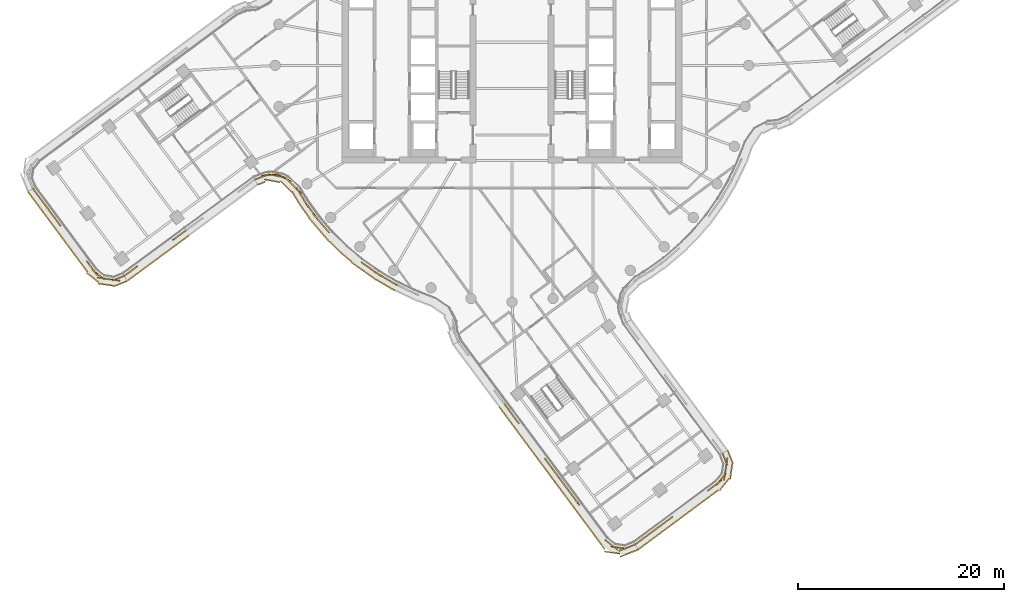
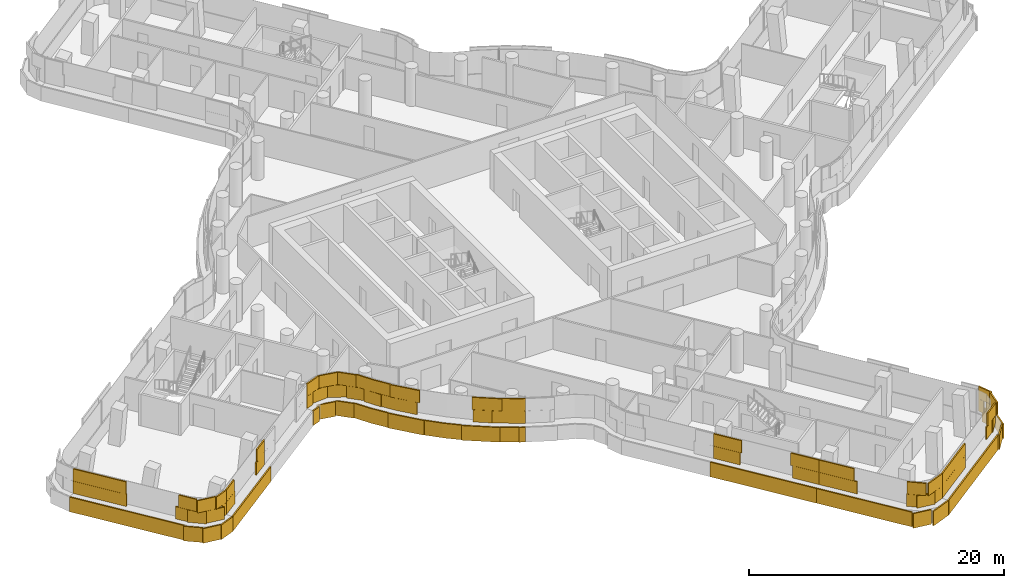
# One storey, part 26 of 32: 6 coverings.
"""IFC4 building model written with IfcOpenShell, lengths in metres."""

from ifc_helpers import new_model, si_unit, direction, frame, origin, origin_2d, place, context, subcontext, project, spatial, rectangle, extrude, material, layer, layer_set, type_object, element, save


model = new_model("IFC4")

# Units and contexts
model_context = context("Model", 3, precision=1e-05, world=origin(), true_north=direction((0.0, 1.0)))
body_context = subcontext(model_context, "Body", "Model", "MODEL_VIEW")
ifc_project = project(units=[si_unit("LENGTHUNIT", "METRE"), si_unit("AREAUNIT", "SQUARE_METRE"), si_unit("VOLUMEUNIT", "CUBIC_METRE"), si_unit("PLANEANGLEUNIT", "RADIAN"), si_unit("MASSUNIT", "GRAM", prefix="KILO")], contexts=[model_context])

# Site, building, storey
site_placement = place(None, origin())
site = spatial("IfcSite", under=ifc_project, at=site_placement, CompositionType="ELEMENT")
building_placement = place(site_placement, origin())
building = spatial("IfcBuilding", under=site, at=building_placement, Name="Tamarind Cross Interchange Tower", CompositionType="ELEMENT")
storey_placement = place(building_placement, frame((0.0, 0.0, 166.75)))
storey = spatial("IfcBuildingStorey", under=building, at=storey_placement, Name="L41", CompositionType="ELEMENT", Elevation=166.75)

# Coverings
ifc_material = material(Name="Terracotta", Category="masonry")
ifc_layer = layer(ifc_material, 0.1201171875)
ifc_layer_set = layer_set([ifc_layer], Name="Terracotta")
covering_type = type_object("IfcCoveringType", Name="Terracotta baguette screen unit", PredefinedType="MOLDING", material=ifc_layer_set)
covering_1_placement = place(storey_placement, origin())
element("IfcCovering", 1, at=covering_1_placement, inside=storey, type_object=covering_type, Name="SCR-L41-08-00", PredefinedType="MOLDING", context=body_context, shape_type="SweptSolid", body=[
    extrude(rectangle(XDim=0.760009765625, YDim=0.1201171875, at=origin_2d()), frame((-46.328125, -12.273193359375, 1.404052734375), z_axis=(0.0, 0.0, 1.0), x_axis=(0.595776404136, -0.803150344752, 0.0)), (0.0, 0.0, 1.0), 1.1669921875),
    extrude(rectangle(XDim=1.52001953125, YDim=0.1201171875, at=origin_2d()), frame((-45.65771484375, -13.1767578125, 1.404052734375), z_axis=(0.0, 0.0, 1.0), x_axis=(0.595776404136, -0.803150344752, 0.0)), (0.0, 0.0, 1.0), 1.1669921875),
    extrude(rectangle(XDim=1.52001953125, YDim=0.1201171875, at=origin_2d()), frame((-44.76416015625, -14.38134765625, 1.404052734375), z_axis=(0.0, 0.0, 1.0), x_axis=(0.595776404136, -0.803150344752, 0.0)), (0.0, 0.0, 1.0), 1.1669921875),
    extrude(rectangle(XDim=0.78466796875, YDim=0.1201171875, at=origin_2d()), frame((-44.08642578125, -15.294921875, 1.404052734375), z_axis=(0.0, 0.0, 1.0), x_axis=(0.595776404136, -0.803150344752, 0.0)), (0.0, 0.0, 1.0), 1.1669921875),
    extrude(rectangle(XDim=1.03515625, YDim=0.1201171875, at=origin_2d()), frame((-41.048095703125, -19.39111328125, 1.404052734375), z_axis=(0.0, 0.0, 1.0), x_axis=(0.595776404136, -0.803150344752, 0.0)), (0.0, 0.0, 1.0), 1.1669921875),
    extrude(rectangle(XDim=1.52001953125, YDim=0.1201171875, at=origin_2d()), frame((-40.20654296875, -20.318603515625, 1.404052734375), z_axis=(0.0, 0.0, 1.0), x_axis=(0.783346420751, -0.621585380376, 0.0)), (0.0, 0.0, 1.0), 1.1669921875),
    extrude(rectangle(XDim=1.52001953125, YDim=0.1201171875, at=origin_2d()), frame((-38.84521484375, -20.821044921875, 1.404052734375), z_axis=(0.0, 0.0, 1.0), x_axis=(0.989190590522, -0.146635519651, 0.0)), (0.0, 0.0, 1.0), 1.1669921875),
    extrude(rectangle(XDim=0.509521484375, YDim=0.1201171875, at=origin_2d()), frame((-37.90478515625, -20.54541015625, 1.404052734375), z_axis=(0.0, 0.0, 1.0), x_axis=(0.929981940402, 0.367605210146, 0.0)), (0.0, 0.0, 1.0), 1.1669921875),
    extrude(rectangle(XDim=1.510009765625, YDim=0.1201171875, at=origin_2d()), frame((-46.1044921875, -12.574462890625, 2.5791015625), z_axis=(0.0, 0.0, 1.0), x_axis=(0.595776404136, -0.803150344752, 0.0)), (0.0, 0.0, 1.0), 1.1669921875),
    extrude(rectangle(XDim=1.52001953125, YDim=0.1201171875, at=origin_2d()), frame((-45.2109375, -13.779052734375, 2.5791015625), z_axis=(0.0, 0.0, 1.0), x_axis=(0.595776404136, -0.803150344752, 0.0)), (0.0, 0.0, 1.0), 1.1669921875),
    extrude(rectangle(XDim=1.52001953125, YDim=0.1201171875, at=origin_2d()), frame((-44.3173828125, -14.98388671875, 2.5791015625), z_axis=(0.0, 0.0, 1.0), x_axis=(0.595776404136, -0.803150344752, 0.0)), (0.0, 0.0, 1.0), 1.1669921875),
    extrude(rectangle(XDim=1.52001953125, YDim=0.1201171875, at=origin_2d()), frame((-40.74267578125, -19.802734375, 2.5791015625), z_axis=(0.0, 0.0, 1.0), x_axis=(0.595776404136, -0.803150344752, 0.0)), (0.0, 0.0, 1.0), 1.1669921875),
    extrude(rectangle(XDim=1.52001953125, YDim=0.1201171875, at=origin_2d()), frame((-39.5869140625, -20.711181640625, 2.5791015625), z_axis=(0.0, 0.0, 1.0), x_axis=(0.989190590522, -0.146635519651, 0.0)), (0.0, 0.0, 1.0), 1.1669921875),
    extrude(rectangle(XDim=1.259521484375, YDim=0.1201171875, at=origin_2d()), frame((-38.25341796875, -20.68310546875, 2.5791015625), z_axis=(0.0, 0.0, 1.0), x_axis=(0.929981940402, 0.367605210146, 0.0)), (0.0, 0.0, 1.0), 1.1669921875),
    extrude(rectangle(XDim=0.760009765625, YDim=0.1201171875, at=origin_2d()), frame((-46.8310546875, -12.55859375, 0.00390625), z_axis=(0.0, 0.0, 1.0), x_axis=(0.595776404136, -0.803150344752, 0.0)), (0.0, 0.0, 1.0), 1.39208984375),
    extrude(rectangle(XDim=1.52001953125, YDim=0.1201171875, at=origin_2d()), frame((-46.163818359375, -13.4580078125, 0.00390625), z_axis=(0.0, 0.0, 1.0), x_axis=(0.595776404136, -0.803150344752, 0.0)), (0.0, 0.0, 1.0), 1.39208984375),
    extrude(rectangle(XDim=1.52001953125, YDim=0.1201171875, at=origin_2d()), frame((-45.270263671875, -14.662841796875, 0.00390625), z_axis=(0.0, 0.0, 1.0), x_axis=(0.595776404136, -0.803150344752, 0.0)), (0.0, 0.0, 1.0), 1.39208984375),
    extrude(rectangle(XDim=1.52001953125, YDim=0.1201171875, at=origin_2d()), frame((-44.37646484375, -15.867431640625, 0.00390625), z_axis=(0.0, 0.0, 1.0), x_axis=(0.595776404136, -0.803150344752, 0.0)), (0.0, 0.0, 1.0), 1.39208984375),
    extrude(rectangle(XDim=1.52001953125, YDim=0.1201171875, at=origin_2d()), frame((-43.48291015625, -17.072265625, 0.00390625), z_axis=(0.0, 0.0, 1.0), x_axis=(0.595776404136, -0.803150344752, 0.0)), (0.0, 0.0, 1.0), 1.39208984375),
    extrude(rectangle(XDim=1.52001953125, YDim=0.1201171875, at=origin_2d()), frame((-42.589111328125, -18.27685546875, 0.00390625), z_axis=(0.0, 0.0, 1.0), x_axis=(0.595776404136, -0.803150344752, 0.0)), (0.0, 0.0, 1.0), 1.39208984375),
    extrude(rectangle(XDim=1.52001953125, YDim=0.1201171875, at=origin_2d()), frame((-41.695556640625, -19.481689453125, 0.00390625), z_axis=(0.0, 0.0, 1.0), x_axis=(0.595776404136, -0.803150344752, 0.0)), (0.0, 0.0, 1.0), 1.39208984375),
    extrude(rectangle(XDim=1.52001953125, YDim=0.1201171875, at=origin_2d()), frame((-40.74072265625, -20.62744140625, 0.00390625), z_axis=(0.0, 0.0, 1.0), x_axis=(0.783346420751, -0.621585380376, 0.0)), (0.0, 0.0, 1.0), 1.39208984375),
    extrude(rectangle(XDim=1.52001953125, YDim=0.1201171875, at=origin_2d()), frame((-39.457763671875, -21.310546875, 0.00390625), z_axis=(0.0, 0.0, 1.0), x_axis=(0.989190590522, -0.146635519651, 0.0)), (0.0, 0.0, 1.0), 1.39208984375),
    extrude(rectangle(XDim=1.42626953125, YDim=0.1201171875, at=origin_2d()), frame((-38.05517578125, -21.221923828125, 0.00390625), z_axis=(0.0, 0.0, 1.0), x_axis=(0.929981940402, 0.367605210146, 0.0)), (0.0, 0.0, 1.0), 1.39208984375),
])
covering_2_placement = place(storey_placement, origin())
element("IfcCovering", 2, at=covering_2_placement, inside=storey, type_object=covering_type, Name="SCR-L41-09-00", PredefinedType="MOLDING", context=body_context, shape_type="SweptSolid", body=[
    extrude(rectangle(XDim=0.760009765625, YDim=0.1201171875, at=origin_2d()), frame((-37.370849609375, -20.23095703125, 1.404052734375), z_axis=(0.0, 0.0, 1.0), x_axis=(0.804598427384, 0.593819308082, 0.0)), (0.0, 0.0, 1.0), 1.1669921875),
    extrude(rectangle(XDim=0.890380859375, YDim=0.1201171875, at=origin_2d()), frame((-36.71484375, -19.746826171875, 1.404052734375), z_axis=(0.0, 0.0, 1.0), x_axis=(0.804598427384, 0.593819308082, 0.0)), (0.0, 0.0, 1.0), 1.1669921875),
    extrude(rectangle(XDim=0.9296875, YDim=0.1201171875, at=origin_2d()), frame((-32.611328125, -16.71826171875, 1.404052734375), z_axis=(0.0, 0.0, 1.0), x_axis=(0.804598427384, 0.593819308082, 0.0)), (0.0, 0.0, 1.0), 1.1669921875),
    extrude(rectangle(XDim=0.720703125, YDim=0.1201171875, at=origin_2d()), frame((-31.95556640625, -16.234130859375, 1.404052734375), z_axis=(0.0, 0.0, 1.0), x_axis=(0.804598427384, 0.593819308082, 0.0)), (0.0, 0.0, 1.0), 1.1669921875),
    extrude(rectangle(XDim=1.510009765625, YDim=0.1201171875, at=origin_2d()), frame((-37.069091796875, -20.008056640625, 2.5791015625), z_axis=(0.0, 0.0, 1.0), x_axis=(0.804598427384, 0.593819308082, 0.0)), (0.0, 0.0, 1.0), 1.1669921875),
    extrude(rectangle(XDim=1.470703125, YDim=0.1201171875, at=origin_2d()), frame((-32.25732421875, -16.45703125, 2.5791015625), z_axis=(0.0, 0.0, 1.0), x_axis=(0.804598427384, 0.593819308082, 0.0)), (0.0, 0.0, 1.0), 1.1669921875),
    extrude(rectangle(XDim=0.760009765625, YDim=0.1201171875, at=origin_2d()), frame((-37.086181640625, -20.734130859375, 0.00390625), z_axis=(0.0, 0.0, 1.0), x_axis=(0.804598427384, 0.593819308082, 0.0)), (0.0, 0.0, 1.0), 1.39208984375),
    extrude(rectangle(XDim=1.52001953125, YDim=0.1201171875, at=origin_2d()), frame((-36.18505859375, -20.069091796875, 0.00390625), z_axis=(0.0, 0.0, 1.0), x_axis=(0.804598427384, 0.593819308082, 0.0)), (0.0, 0.0, 1.0), 1.39208984375),
    extrude(rectangle(XDim=1.52001953125, YDim=0.1201171875, at=origin_2d()), frame((-34.97802734375, -19.178466796875, 0.00390625), z_axis=(0.0, 0.0, 1.0), x_axis=(0.804598427384, 0.593819308082, 0.0)), (0.0, 0.0, 1.0), 1.39208984375),
    extrude(rectangle(XDim=1.52001953125, YDim=0.1201171875, at=origin_2d()), frame((-33.771240234375, -18.28759765625, 0.00390625), z_axis=(0.0, 0.0, 1.0), x_axis=(0.804598427384, 0.593819308082, 0.0)), (0.0, 0.0, 1.0), 1.39208984375),
    extrude(rectangle(XDim=1.52001953125, YDim=0.1201171875, at=origin_2d()), frame((-32.564208984375, -17.39697265625, 0.00390625), z_axis=(0.0, 0.0, 1.0), x_axis=(0.804598427384, 0.593819308082, 0.0)), (0.0, 0.0, 1.0), 1.39208984375),
    extrude(rectangle(XDim=0.718505859375, YDim=0.1201171875, at=origin_2d()), frame((-31.679931640625, -16.744140625, 0.00390625), z_axis=(0.0, 0.0, 1.0), x_axis=(0.804598427384, 0.593819308082, 0.0)), (0.0, 0.0, 1.0), 1.39208984375),
])
covering_3_placement = place(storey_placement, origin())
element("IfcCovering", 3, at=covering_3_placement, inside=storey, type_object=covering_type, Name="SCR-L41-10-00", PredefinedType="MOLDING", context=body_context, shape_type="SweptSolid", body=[
    extrude(rectangle(XDim=0.760009765625, YDim=0.1201171875, at=origin_2d()), frame((-24.64013671875, -10.96240234375, 1.404052734375), z_axis=(0.0, 0.0, 1.0), x_axis=(0.936029366987, 0.351921900623, 0.0)), (0.0, 0.0, 1.0), 1.1669921875),
    extrude(rectangle(XDim=1.52001953125, YDim=0.1201171875, at=origin_2d()), frame((-23.5693359375, -10.646484375, 1.404052734375), z_axis=(0.0, 0.0, 1.0), x_axis=(0.996720069573, 0.080926527852, 0.0)), (0.0, 0.0, 1.0), 1.1669921875),
    extrude(rectangle(XDim=1.52001953125, YDim=0.1201171875, at=origin_2d()), frame((-22.11474609375, -10.93701171875, 1.404052734375), z_axis=(0.0, 0.0, 1.0), x_axis=(0.888742469875, -0.458406830491, 0.0)), (0.0, 0.0, 1.0), 1.1669921875),
    extrude(rectangle(XDim=1.52001953125, YDim=0.1201171875, at=origin_2d()), frame((-20.99609375, -11.919677734375, 1.404052734375), z_axis=(0.0, 0.0, 1.0), x_axis=(0.710687311487, -0.703508027879, 0.0)), (0.0, 0.0, 1.0), 1.1669921875),
    extrude(rectangle(XDim=1.52001953125, YDim=0.1201171875, at=origin_2d()), frame((-20.1669921875, -13.16162109375, 1.404052734375), z_axis=(0.0, 0.0, 1.0), x_axis=(0.517314099566, -0.855795607835, 0.0)), (0.0, 0.0, 1.0), 1.1669921875),
    extrude(rectangle(XDim=1.52001953125, YDim=0.1201171875, at=origin_2d()), frame((-19.2978515625, -14.3837890625, 1.404052734375), z_axis=(0.0, 0.0, 1.0), x_axis=(0.584573890505, -0.811340475102, 0.0)), (0.0, 0.0, 1.0), 1.1669921875),
    extrude(rectangle(XDim=1.52001953125, YDim=0.1201171875, at=origin_2d()), frame((-18.36279296875, -15.55517578125, 1.404052734375), z_axis=(0.0, 0.0, 1.0), x_axis=(0.64957723968, -0.760295606781, 0.0)), (0.0, 0.0, 1.0), 1.1669921875),
    extrude(rectangle(XDim=1.52001953125, YDim=0.1201171875, at=origin_2d()), frame((-13.959716796875, -19.60302734375, 1.404052734375), z_axis=(0.0, 0.0, 1.0), x_axis=(0.816341886298, -0.577568978284, 0.0)), (0.0, 0.0, 1.0), 1.1669921875),
    extrude(rectangle(XDim=1.52001953125, YDim=0.1201171875, at=origin_2d()), frame((-12.7158203125, -20.439453125, 1.404052734375), z_axis=(0.0, 0.0, 1.0), x_axis=(0.861248933065, -0.508183308752, 0.0)), (0.0, 0.0, 1.0), 1.1669921875),
    extrude(rectangle(XDim=1.086669921875, YDim=0.1201171875, at=origin_2d()), frame((-11.606201171875, -21.09423828125, 1.404052734375), z_axis=(0.0, 0.0, 1.0), x_axis=(0.861248933065, -0.508183308752, 0.0)), (0.0, 0.0, 1.0), 1.1669921875),
    extrude(rectangle(XDim=1.510009765625, YDim=0.1201171875, at=origin_2d()), frame((-24.2890625, -10.830322265625, 2.5791015625), z_axis=(0.0, 0.0, 1.0), x_axis=(0.936029366987, 0.351921900623, 0.0)), (0.0, 0.0, 1.0), 1.1669921875),
    extrude(rectangle(XDim=1.52001953125, YDim=0.1201171875, at=origin_2d()), frame((-22.830322265625, -10.73291015625, 2.5791015625), z_axis=(0.0, 0.0, 1.0), x_axis=(0.980541873033, -0.196310048722, 0.0)), (0.0, 0.0, 1.0), 1.1669921875),
    extrude(rectangle(XDim=1.52001953125, YDim=0.1201171875, at=origin_2d()), frame((-21.529052734375, -11.39208984375, 2.5791015625), z_axis=(0.0, 0.0, 1.0), x_axis=(0.710687311487, -0.703508027879, 0.0)), (0.0, 0.0, 1.0), 1.1669921875),
    extrude(rectangle(XDim=1.52001953125, YDim=0.1201171875, at=origin_2d()), frame((-20.554931640625, -12.519775390625, 2.5791015625), z_axis=(0.0, 0.0, 1.0), x_axis=(0.517314099566, -0.855795607835, 0.0)), (0.0, 0.0, 1.0), 1.1669921875),
    extrude(rectangle(XDim=1.52001953125, YDim=0.1201171875, at=origin_2d()), frame((-19.736328125, -13.775146484375, 2.5791015625), z_axis=(0.0, 0.0, 1.0), x_axis=(0.584573890505, -0.811340475102, 0.0)), (0.0, 0.0, 1.0), 1.1669921875),
    extrude(rectangle(XDim=1.52001953125, YDim=0.1201171875, at=origin_2d()), frame((-18.85009765625, -14.98486328125, 2.5791015625), z_axis=(0.0, 0.0, 1.0), x_axis=(0.64957723968, -0.760295606781, 0.0)), (0.0, 0.0, 1.0), 1.1669921875),
    extrude(rectangle(XDim=0.960693359375, YDim=0.1201171875, at=origin_2d()), frame((-18.05419921875, -15.91650390625, 2.5791015625), z_axis=(0.0, 0.0, 1.0), x_axis=(0.64957723968, -0.760295606781, 0.0)), (0.0, 0.0, 1.0), 1.1669921875),
    extrude(rectangle(XDim=0.859375, YDim=0.1201171875, at=origin_2d()), frame((-14.306396484375, -19.357666015625, 2.5791015625), z_axis=(0.0, 0.0, 1.0), x_axis=(0.816341886298, -0.577568978284, 0.0)), (0.0, 0.0, 1.0), 1.1669921875),
    extrude(rectangle(XDim=1.52001953125, YDim=0.1201171875, at=origin_2d()), frame((-13.347412109375, -20.0361328125, 2.5791015625), z_axis=(0.0, 0.0, 1.0), x_axis=(0.816341886298, -0.577568978284, 0.0)), (0.0, 0.0, 1.0), 1.1669921875),
    extrude(rectangle(XDim=1.52001953125, YDim=0.1201171875, at=origin_2d()), frame((-12.06982421875, -20.820556640625, 2.5791015625), z_axis=(0.0, 0.0, 1.0), x_axis=(0.861248933065, -0.508183308752, 0.0)), (0.0, 0.0, 1.0), 1.1669921875),
    extrude(rectangle(XDim=0.336669921875, YDim=0.1201171875, at=origin_2d()), frame((-11.279296875, -21.277099609375, 2.5791015625), z_axis=(0.0, 0.0, 1.0), x_axis=(0.900272776334, -0.435326231914, 0.0)), (0.0, 0.0, 1.0), 1.1669921875),
    extrude(rectangle(XDim=0.760009765625, YDim=0.1201171875, at=origin_2d()), frame((-24.35888671875, -11.4697265625, 0.00390625), z_axis=(0.0, 0.0, 1.0), x_axis=(0.936029366987, 0.351921900623, 0.0)), (0.0, 0.0, 1.0), 1.39208984375),
    extrude(rectangle(XDim=1.52001953125, YDim=0.1201171875, at=origin_2d()), frame((-23.284423828125, -11.227294921875, 0.00390625), z_axis=(0.0, 0.0, 1.0), x_axis=(0.980541873033, -0.196310048722, 0.0)), (0.0, 0.0, 1.0), 1.39208984375),
    extrude(rectangle(XDim=1.52001953125, YDim=0.1201171875, at=origin_2d()), frame((-21.941162109375, -11.7919921875, 0.00390625), z_axis=(0.0, 0.0, 1.0), x_axis=(0.710687311487, -0.703508027879, 0.0)), (0.0, 0.0, 1.0), 1.39208984375),
    extrude(rectangle(XDim=1.52001953125, YDim=0.1201171875, at=origin_2d()), frame((-20.978271484375, -12.9287109375, 0.00390625), z_axis=(0.0, 0.0, 1.0), x_axis=(0.517314099566, -0.855795607835, 0.0)), (0.0, 0.0, 1.0), 1.39208984375),
    extrude(rectangle(XDim=1.52001953125, YDim=0.1201171875, at=origin_2d()), frame((-20.152587890625, -14.179443359375, 0.00390625), z_axis=(0.0, 0.0, 1.0), x_axis=(0.584573890505, -0.811340475102, 0.0)), (0.0, 0.0, 1.0), 1.39208984375),
    extrude(rectangle(XDim=1.52001953125, YDim=0.1201171875, at=origin_2d()), frame((-19.262451171875, -15.385986328125, 0.00390625), z_axis=(0.0, 0.0, 1.0), x_axis=(0.64957723968, -0.760295606781, 0.0)), (0.0, 0.0, 1.0), 1.39208984375),
    extrude(rectangle(XDim=1.52001953125, YDim=0.1201171875, at=origin_2d()), frame((-18.2880859375, -16.5263671875, 0.00390625), z_axis=(0.0, 0.0, 1.0), x_axis=(0.64957723968, -0.760295606781, 0.0)), (0.0, 0.0, 1.0), 1.39208984375),
    extrude(rectangle(XDim=1.52001953125, YDim=0.1201171875, at=origin_2d()), frame((-17.242919921875, -17.601318359375, 0.00390625), z_axis=(0.0, 0.0, 1.0), x_axis=(0.710143317658, -0.704057148523, 0.0)), (0.0, 0.0, 1.0), 1.39208984375),
    extrude(rectangle(XDim=1.52001953125, YDim=0.1201171875, at=origin_2d()), frame((-16.142822265625, -18.618896484375, 0.00390625), z_axis=(0.0, 0.0, 1.0), x_axis=(0.765858396687, -0.643009266048, 0.0)), (0.0, 0.0, 1.0), 1.39208984375),
    extrude(rectangle(XDim=1.52001953125, YDim=0.1201171875, at=origin_2d()), frame((-14.989501953125, -19.57763671875, 0.00390625), z_axis=(0.0, 0.0, 1.0), x_axis=(0.816341886298, -0.577568978284, 0.0)), (0.0, 0.0, 1.0), 1.39208984375),
    extrude(rectangle(XDim=1.52001953125, YDim=0.1201171875, at=origin_2d()), frame((-13.764892578125, -20.444091796875, 0.00390625), z_axis=(0.0, 0.0, 1.0), x_axis=(0.816341886298, -0.577568978284, 0.0)), (0.0, 0.0, 1.0), 1.39208984375),
    extrude(rectangle(XDim=1.52001953125, YDim=0.1201171875, at=origin_2d()), frame((-12.4931640625, -21.2373046875, 0.00390625), z_axis=(0.0, 0.0, 1.0), x_axis=(0.861248933065, -0.508183308752, 0.0)), (0.0, 0.0, 1.0), 1.39208984375),
    extrude(rectangle(XDim=0.519287109375, YDim=0.1201171875, at=origin_2d()), frame((-11.631591796875, -21.744384765625, 0.00390625), z_axis=(0.0, 0.0, 1.0), x_axis=(0.900272776334, -0.435326231914, 0.0)), (0.0, 0.0, 1.0), 1.39208984375),
])
covering_4_placement = place(storey_placement, origin())
element("IfcCovering", 4, at=covering_4_placement, inside=storey, type_object=covering_type, Name="SCR-L41-11-01", PredefinedType="MOLDING", context=body_context, shape_type="SweptSolid", body=[
    extrude(rectangle(XDim=0.758544921875, YDim=0.1201171875, at=origin_2d()), frame((-0.529296875, -33.18701171875, 1.404052734375), z_axis=(0.0, 0.0, 1.0), x_axis=(0.595776404136, -0.803150344752, 0.0)), (0.0, 0.0, 1.0), 1.1669921875),
    extrude(rectangle(XDim=1.52001953125, YDim=0.1201171875, at=origin_2d()), frame((0.140625, -34.08984375, 1.404052734375), z_axis=(0.0, 0.0, 1.0), x_axis=(0.595776404136, -0.803150344752, 0.0)), (0.0, 0.0, 1.0), 1.1669921875),
    extrude(rectangle(XDim=1.52001953125, YDim=0.1201171875, at=origin_2d()), frame((3.71533203125, -38.908935546875, 1.404052734375), z_axis=(0.0, 0.0, 1.0), x_axis=(0.595776404136, -0.803150344752, 0.0)), (0.0, 0.0, 1.0), 1.1669921875),
    extrude(rectangle(XDim=0.7705078125, YDim=0.1201171875, at=origin_2d()), frame((4.388671875, -39.816650390625, 1.404052734375), z_axis=(0.0, 0.0, 1.0), x_axis=(0.595776404136, -0.803150344752, 0.0)), (0.0, 0.0, 1.0), 1.1669921875),
    extrude(rectangle(XDim=1.508544921875, YDim=0.1201171875, at=origin_2d()), frame((-0.305908203125, -33.488037109375, 2.5791015625), z_axis=(0.0, 0.0, 1.0), x_axis=(0.595776404136, -0.803150344752, 0.0)), (0.0, 0.0, 1.0), 1.1669921875),
    extrude(rectangle(XDim=0.916015625, YDim=0.1201171875, at=origin_2d()), frame((0.410400390625, -34.453857421875, 2.5791015625), z_axis=(0.0, 0.0, 1.0), x_axis=(0.595776404136, -0.803150344752, 0.0)), (0.0, 0.0, 1.0), 1.1669921875),
    extrude(rectangle(XDim=0.904052734375, YDim=0.1201171875, at=origin_2d()), frame((3.448974609375, -38.5498046875, 2.5791015625), z_axis=(0.0, 0.0, 1.0), x_axis=(0.595776404136, -0.803150344752, 0.0)), (0.0, 0.0, 1.0), 1.1669921875),
    extrude(rectangle(XDim=1.52001953125, YDim=0.1201171875, at=origin_2d()), frame((4.162109375, -39.51123046875, 2.5791015625), z_axis=(0.0, 0.0, 1.0), x_axis=(0.595776404136, -0.803150344752, 0.0)), (0.0, 0.0, 1.0), 1.1669921875),
    extrude(rectangle(XDim=0.710205078125, YDim=0.1201171875, at=origin_2d()), frame((-1.02001953125, -33.489013671875, 0.00390625), z_axis=(0.0, 0.0, 1.0), x_axis=(0.595776404136, -0.803150344752, 0.0)), (0.0, 0.0, 1.0), 1.39208984375),
    extrude(rectangle(XDim=1.52001953125, YDim=0.1201171875, at=origin_2d()), frame((-0.367431640625, -34.368408203125, 0.00390625), z_axis=(0.0, 0.0, 1.0), x_axis=(0.595776404136, -0.803150344752, 0.0)), (0.0, 0.0, 1.0), 1.39208984375),
    extrude(rectangle(XDim=1.52001953125, YDim=0.1201171875, at=origin_2d()), frame((0.526123046875, -35.5732421875, 0.00390625), z_axis=(0.0, 0.0, 1.0), x_axis=(0.595776404136, -0.803150344752, 0.0)), (0.0, 0.0, 1.0), 1.39208984375),
    extrude(rectangle(XDim=1.52001953125, YDim=0.1201171875, at=origin_2d()), frame((1.419921875, -36.77783203125, 0.00390625), z_axis=(0.0, 0.0, 1.0), x_axis=(0.595776404136, -0.803150344752, 0.0)), (0.0, 0.0, 1.0), 1.39208984375),
    extrude(rectangle(XDim=1.52001953125, YDim=0.1201171875, at=origin_2d()), frame((2.3134765625, -37.982666015625, 0.00390625), z_axis=(0.0, 0.0, 1.0), x_axis=(0.595776404136, -0.803150344752, 0.0)), (0.0, 0.0, 1.0), 1.39208984375),
    extrude(rectangle(XDim=1.52001953125, YDim=0.1201171875, at=origin_2d()), frame((3.207275390625, -39.187255859375, 0.00390625), z_axis=(0.0, 0.0, 1.0), x_axis=(0.595776404136, -0.803150344752, 0.0)), (0.0, 0.0, 1.0), 1.39208984375),
    extrude(rectangle(XDim=0.876953125, YDim=0.1201171875, at=origin_2d()), frame((3.9091796875, -40.1337890625, 0.00390625), z_axis=(0.0, 0.0, 1.0), x_axis=(0.595776404136, -0.803150344752, 0.0)), (0.0, 0.0, 1.0), 1.39208984375),
])
covering_5_placement = place(storey_placement, origin())
element("IfcCovering", 5, at=covering_5_placement, inside=storey, type_object=covering_type, Name="SCR-L41-11-02", PredefinedType="MOLDING", context=body_context, shape_type="SweptSolid", body=[
    extrude(rectangle(XDim=0.74951171875, YDim=0.1201171875, at=origin_2d()), frame((4.83544921875, -40.4189453125, 1.404052734375), z_axis=(0.0, 0.0, 1.0), x_axis=(0.595776404136, -0.803150344752, 0.0)), (0.0, 0.0, 1.0), 1.1669921875),
    extrude(rectangle(XDim=1.52001953125, YDim=0.1201171875, at=origin_2d()), frame((5.502685546875, -41.318359375, 1.404052734375), z_axis=(0.0, 0.0, 1.0), x_axis=(0.595776404136, -0.803150344752, 0.0)), (0.0, 0.0, 1.0), 1.1669921875),
    extrude(rectangle(XDim=1.017822265625, YDim=0.1201171875, at=origin_2d()), frame((6.24951171875, -42.325439453125, 1.404052734375), z_axis=(0.0, 0.0, 1.0), x_axis=(0.595776404136, -0.803150344752, 0.0)), (0.0, 0.0, 1.0), 1.1669921875),
    extrude(rectangle(XDim=0.80224609375, YDim=0.1201171875, at=origin_2d()), frame((9.3583984375, -46.353515625, 1.404052734375), z_axis=(0.0, 0.0, 1.0), x_axis=(0.783346420751, -0.621585380376, 0.0)), (0.0, 0.0, 1.0), 1.1669921875),
    extrude(rectangle(XDim=1.52001953125, YDim=0.1201171875, at=origin_2d()), frame((10.3486328125, -46.852294921875, 1.404052734375), z_axis=(0.0, 0.0, 1.0), x_axis=(0.989190590522, -0.146635519651, 0.0)), (0.0, 0.0, 1.0), 1.1669921875),
    extrude(rectangle(XDim=0.965087890625, YDim=0.1201171875, at=origin_2d()), frame((11.52783203125, -46.72705078125, 1.404052734375), z_axis=(0.0, 0.0, 1.0), x_axis=(0.929981940402, 0.367605210146, 0.0)), (0.0, 0.0, 1.0), 1.1669921875),
    extrude(rectangle(XDim=1.49951171875, YDim=0.1201171875, at=origin_2d()), frame((5.058837890625, -40.72021484375, 2.5791015625), z_axis=(0.0, 0.0, 1.0), x_axis=(0.595776404136, -0.803150344752, 0.0)), (0.0, 0.0, 1.0), 1.1669921875),
    extrude(rectangle(XDim=1.52001953125, YDim=0.1201171875, at=origin_2d()), frame((5.949462890625, -41.920654296875, 2.5791015625), z_axis=(0.0, 0.0, 1.0), x_axis=(0.595776404136, -0.803150344752, 0.0)), (0.0, 0.0, 1.0), 1.1669921875),
    extrude(rectangle(XDim=1.52001953125, YDim=0.1201171875, at=origin_2d()), frame((9.668701171875, -46.599609375, 2.5791015625), z_axis=(0.0, 0.0, 1.0), x_axis=(0.783346420751, -0.621585380376, 0.0)), (0.0, 0.0, 1.0), 1.1669921875),
    extrude(rectangle(XDim=1.52001953125, YDim=0.1201171875, at=origin_2d()), frame((11.083740234375, -46.902587890625, 2.5791015625), z_axis=(0.0, 0.0, 1.0), x_axis=(0.929981940402, 0.367605210146, 0.0)), (0.0, 0.0, 1.0), 1.1669921875),
    extrude(rectangle(XDim=0.215087890625, YDim=0.1201171875, at=origin_2d()), frame((11.876708984375, -46.589111328125, 2.5791015625), z_axis=(0.0, 0.0, 1.0), x_axis=(0.929981940402, 0.367605210146, 0.0)), (0.0, 0.0, 1.0), 1.1669921875),
    extrude(rectangle(XDim=0.64306640625, YDim=0.1201171875, at=origin_2d()), frame((4.362060546875, -40.744140625, 0.00390625), z_axis=(0.0, 0.0, 1.0), x_axis=(0.595776404136, -0.803150344752, 0.0)), (0.0, 0.0, 1.0), 1.39208984375),
    extrude(rectangle(XDim=1.52001953125, YDim=0.1201171875, at=origin_2d()), frame((4.994384765625, -41.596923828125, 0.00390625), z_axis=(0.0, 0.0, 1.0), x_axis=(0.595776404136, -0.803150344752, 0.0)), (0.0, 0.0, 1.0), 1.39208984375),
    extrude(rectangle(XDim=1.52001953125, YDim=0.1201171875, at=origin_2d()), frame((5.88818359375, -42.801513671875, 0.00390625), z_axis=(0.0, 0.0, 1.0), x_axis=(0.595776404136, -0.803150344752, 0.0)), (0.0, 0.0, 1.0), 1.39208984375),
    extrude(rectangle(XDim=1.52001953125, YDim=0.1201171875, at=origin_2d()), frame((6.78173828125, -44.00634765625, 0.00390625), z_axis=(0.0, 0.0, 1.0), x_axis=(0.595776404136, -0.803150344752, 0.0)), (0.0, 0.0, 1.0), 1.39208984375),
    extrude(rectangle(XDim=1.52001953125, YDim=0.1201171875, at=origin_2d()), frame((7.675537109375, -45.2109375, 0.00390625), z_axis=(0.0, 0.0, 1.0), x_axis=(0.595776404136, -0.803150344752, 0.0)), (0.0, 0.0, 1.0), 1.39208984375),
    extrude(rectangle(XDim=1.52001953125, YDim=0.1201171875, at=origin_2d()), frame((8.569091796875, -46.415771484375, 0.00390625), z_axis=(0.0, 0.0, 1.0), x_axis=(0.595776404136, -0.803150344752, 0.0)), (0.0, 0.0, 1.0), 1.39208984375),
    extrude(rectangle(XDim=1.52001953125, YDim=0.1201171875, at=origin_2d()), frame((9.732666015625, -47.34130859375, 0.00390625), z_axis=(0.0, 0.0, 1.0), x_axis=(0.989190590522, -0.146635519651, 0.0)), (0.0, 0.0, 1.0), 1.39208984375),
    extrude(rectangle(XDim=1.52001953125, YDim=0.1201171875, at=origin_2d()), frame((11.2060546875, -47.471435546875, 0.00390625), z_axis=(0.0, 0.0, 1.0), x_axis=(0.929981940402, 0.367605210146, 0.0)), (0.0, 0.0, 1.0), 1.39208984375),
    extrude(rectangle(XDim=0.385986328125, YDim=0.1201171875, at=origin_2d()), frame((12.07373046875, -47.12841796875, 0.00390625), z_axis=(0.0, 0.0, 1.0), x_axis=(0.929981940402, 0.367605210146, 0.0)), (0.0, 0.0, 1.0), 1.39208984375),
])
covering_6_placement = place(storey_placement, origin())
element("IfcCovering", 6, at=covering_6_placement, inside=storey, type_object=covering_type, Name="SCR-L41-12-00", PredefinedType="MOLDING", context=body_context, shape_type="SweptSolid", body=[
    extrude(rectangle(XDim=0.760009765625, YDim=0.1201171875, at=origin_2d()), frame((12.273193359375, -46.328125, 1.404052734375), z_axis=(0.0, 0.0, 1.0), x_axis=(0.803150344752, 0.595776404136, 0.0)), (0.0, 0.0, 1.0), 1.1669921875),
    extrude(rectangle(XDim=1.52001953125, YDim=0.1201171875, at=origin_2d()), frame((13.1767578125, -45.65771484375, 1.404052734375), z_axis=(0.0, 0.0, 1.0), x_axis=(0.803150344752, 0.595776404136, 0.0)), (0.0, 0.0, 1.0), 1.1669921875),
    extrude(rectangle(XDim=1.52001953125, YDim=0.1201171875, at=origin_2d()), frame((14.38134765625, -44.76416015625, 1.404052734375), z_axis=(0.0, 0.0, 1.0), x_axis=(0.803150344752, 0.595776404136, 0.0)), (0.0, 0.0, 1.0), 1.1669921875),
    extrude(rectangle(XDim=0.78466796875, YDim=0.1201171875, at=origin_2d()), frame((15.294921875, -44.08642578125, 1.404052734375), z_axis=(0.0, 0.0, 1.0), x_axis=(0.803150344752, 0.595776404136, 0.0)), (0.0, 0.0, 1.0), 1.1669921875),
    extrude(rectangle(XDim=1.03515625, YDim=0.1201171875, at=origin_2d()), frame((19.39111328125, -41.048095703125, 1.404052734375), z_axis=(0.0, 0.0, 1.0), x_axis=(0.803150344752, 0.595776404136, 0.0)), (0.0, 0.0, 1.0), 1.1669921875),
    extrude(rectangle(XDim=1.52001953125, YDim=0.1201171875, at=origin_2d()), frame((20.318603515625, -40.20654296875, 1.404052734375), z_axis=(0.0, 0.0, 1.0), x_axis=(0.621585380376, 0.783346420751, 0.0)), (0.0, 0.0, 1.0), 1.1669921875),
    extrude(rectangle(XDim=1.52001953125, YDim=0.1201171875, at=origin_2d()), frame((20.821044921875, -38.84521484375, 1.404052734375), z_axis=(0.0, 0.0, 1.0), x_axis=(0.146635519651, 0.989190590522, 0.0)), (0.0, 0.0, 1.0), 1.1669921875),
    extrude(rectangle(XDim=0.509521484375, YDim=0.1201171875, at=origin_2d()), frame((20.54541015625, -37.90478515625, 1.404052734375), z_axis=(0.0, 0.0, 1.0), x_axis=(-0.367605210146, 0.929981940402, 0.0)), (0.0, 0.0, 1.0), 1.1669921875),
    extrude(rectangle(XDim=1.510009765625, YDim=0.1201171875, at=origin_2d()), frame((12.574462890625, -46.1044921875, 2.5791015625), z_axis=(0.0, 0.0, 1.0), x_axis=(0.803150344752, 0.595776404136, 0.0)), (0.0, 0.0, 1.0), 1.1669921875),
    extrude(rectangle(XDim=1.52001953125, YDim=0.1201171875, at=origin_2d()), frame((13.779052734375, -45.2109375, 2.5791015625), z_axis=(0.0, 0.0, 1.0), x_axis=(0.803150344752, 0.595776404136, 0.0)), (0.0, 0.0, 1.0), 1.1669921875),
    extrude(rectangle(XDim=1.52001953125, YDim=0.1201171875, at=origin_2d()), frame((14.98388671875, -44.3173828125, 2.5791015625), z_axis=(0.0, 0.0, 1.0), x_axis=(0.803150344752, 0.595776404136, 0.0)), (0.0, 0.0, 1.0), 1.1669921875),
    extrude(rectangle(XDim=1.52001953125, YDim=0.1201171875, at=origin_2d()), frame((19.802734375, -40.74267578125, 2.5791015625), z_axis=(0.0, 0.0, 1.0), x_axis=(0.803150344752, 0.595776404136, 0.0)), (0.0, 0.0, 1.0), 1.1669921875),
    extrude(rectangle(XDim=1.52001953125, YDim=0.1201171875, at=origin_2d()), frame((20.711181640625, -39.5869140625, 2.5791015625), z_axis=(0.0, 0.0, 1.0), x_axis=(0.146635519651, 0.989190590522, 0.0)), (0.0, 0.0, 1.0), 1.1669921875),
    extrude(rectangle(XDim=1.259521484375, YDim=0.1201171875, at=origin_2d()), frame((20.68310546875, -38.25341796875, 2.5791015625), z_axis=(0.0, 0.0, 1.0), x_axis=(-0.367605210146, 0.929981940402, 0.0)), (0.0, 0.0, 1.0), 1.1669921875),
    extrude(rectangle(XDim=0.760009765625, YDim=0.1201171875, at=origin_2d()), frame((12.55859375, -46.8310546875, 0.00390625), z_axis=(0.0, 0.0, 1.0), x_axis=(0.803150344752, 0.595776404136, 0.0)), (0.0, 0.0, 1.0), 1.39208984375),
    extrude(rectangle(XDim=1.52001953125, YDim=0.1201171875, at=origin_2d()), frame((13.4580078125, -46.163818359375, 0.00390625), z_axis=(0.0, 0.0, 1.0), x_axis=(0.803150344752, 0.595776404136, 0.0)), (0.0, 0.0, 1.0), 1.39208984375),
    extrude(rectangle(XDim=1.52001953125, YDim=0.1201171875, at=origin_2d()), frame((14.662841796875, -45.270263671875, 0.00390625), z_axis=(0.0, 0.0, 1.0), x_axis=(0.803150344752, 0.595776404136, 0.0)), (0.0, 0.0, 1.0), 1.39208984375),
    extrude(rectangle(XDim=1.52001953125, YDim=0.1201171875, at=origin_2d()), frame((15.867431640625, -44.37646484375, 0.00390625), z_axis=(0.0, 0.0, 1.0), x_axis=(0.803150344752, 0.595776404136, 0.0)), (0.0, 0.0, 1.0), 1.39208984375),
    extrude(rectangle(XDim=1.52001953125, YDim=0.1201171875, at=origin_2d()), frame((17.072265625, -43.48291015625, 0.00390625), z_axis=(0.0, 0.0, 1.0), x_axis=(0.803150344752, 0.595776404136, 0.0)), (0.0, 0.0, 1.0), 1.39208984375),
    extrude(rectangle(XDim=1.52001953125, YDim=0.1201171875, at=origin_2d()), frame((18.27685546875, -42.589111328125, 0.00390625), z_axis=(0.0, 0.0, 1.0), x_axis=(0.803150344752, 0.595776404136, 0.0)), (0.0, 0.0, 1.0), 1.39208984375),
    extrude(rectangle(XDim=1.52001953125, YDim=0.1201171875, at=origin_2d()), frame((19.481689453125, -41.695556640625, 0.00390625), z_axis=(0.0, 0.0, 1.0), x_axis=(0.803150344752, 0.595776404136, 0.0)), (0.0, 0.0, 1.0), 1.39208984375),
    extrude(rectangle(XDim=1.52001953125, YDim=0.1201171875, at=origin_2d()), frame((20.62744140625, -40.74072265625, 0.00390625), z_axis=(0.0, 0.0, 1.0), x_axis=(0.621585380376, 0.783346420751, 0.0)), (0.0, 0.0, 1.0), 1.39208984375),
    extrude(rectangle(XDim=1.52001953125, YDim=0.1201171875, at=origin_2d()), frame((21.310546875, -39.457763671875, 0.00390625), z_axis=(0.0, 0.0, 1.0), x_axis=(0.146635519651, 0.989190590522, 0.0)), (0.0, 0.0, 1.0), 1.39208984375),
    extrude(rectangle(XDim=1.42626953125, YDim=0.1201171875, at=origin_2d()), frame((21.221923828125, -38.05517578125, 0.00390625), z_axis=(0.0, 0.0, 1.0), x_axis=(-0.367605210146, 0.929981940402, 0.0)), (0.0, 0.0, 1.0), 1.39208984375),
])

save(model, "model.ifc")
